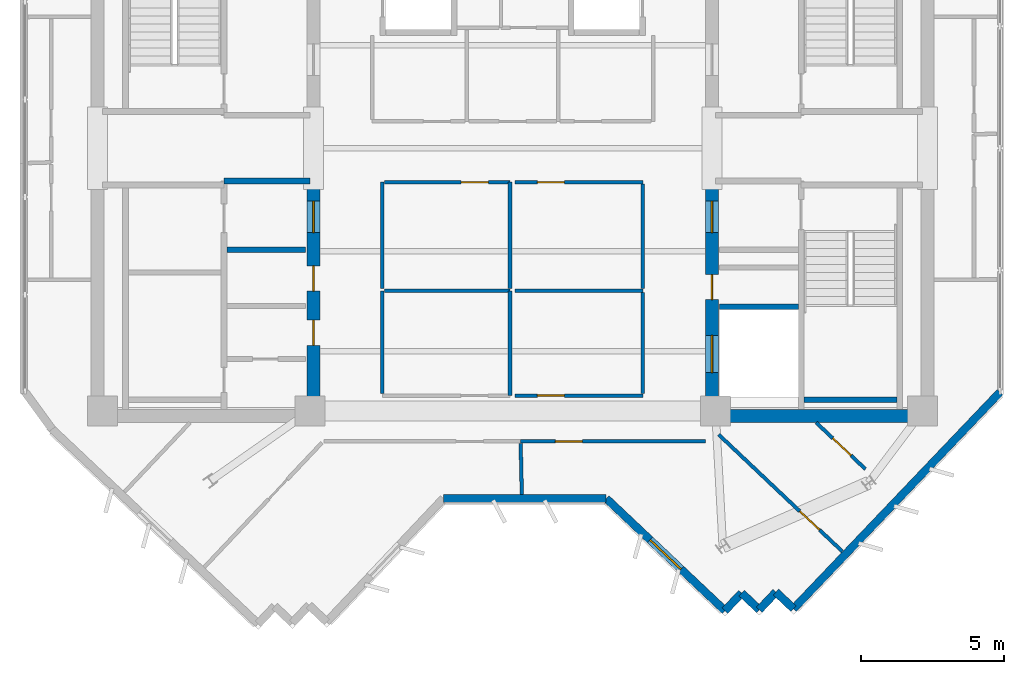
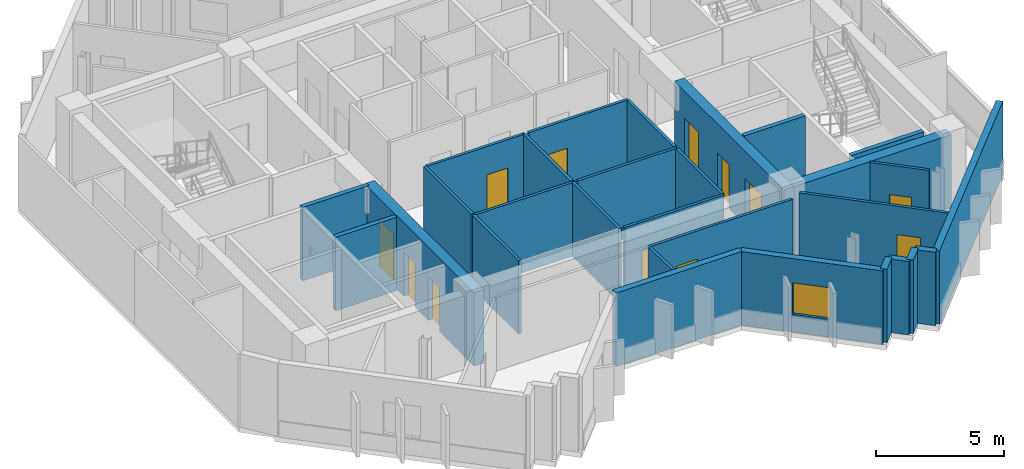
# One storey, part 4 of 9: 29 walls, 12 doors, 1 window, 13 openings.
"""IFC4 building model written with IfcOpenShell, lengths in metres."""

from ifc_helpers import new_model, si_unit, direction, frame, frame_2d, origin, place, context, subcontext, project, spatial, rectangle, extrude, source, transform, mapped, material, layer, layer_set, type_object, element, fill, save


model = new_model("IFC4")

# Units and contexts
model_context = context("Model", 3, precision=1e-05, world=origin(), true_north=direction((0.0, 1.0)))
body_context = subcontext(model_context, "Body", "Model", "MODEL_VIEW")
ifc_project = project(units=[si_unit("LENGTHUNIT", "METRE"), si_unit("AREAUNIT", "SQUARE_METRE"), si_unit("VOLUMEUNIT", "CUBIC_METRE"), si_unit("PLANEANGLEUNIT", "RADIAN"), si_unit("MASSUNIT", "GRAM", prefix="KILO")], contexts=[model_context])

# Site, building, storey
site_placement = place(None, origin())
site = spatial("IfcSite", under=ifc_project, at=site_placement, CompositionType="ELEMENT")
building_placement = place(site_placement, origin())
building = spatial("IfcBuilding", under=site, at=building_placement, Name="Zahravan Cultural Tower", CompositionType="ELEMENT")
storey_placement = place(building_placement, frame((0.0, 0.0, 302.85009765625)))
storey = spatial("IfcBuildingStorey", under=building, at=storey_placement, Name="L73", CompositionType="ELEMENT", Elevation=302.85009765625)

# Wall, openings, doors
ifc_material_1 = material(Name="Concrete C50/60", Category="concrete")
ifc_layer_1 = layer(ifc_material_1, 0.449951171875)
ifc_layer_set_1 = layer_set([ifc_layer_1], Name="Concrete C50/60")
wall_type_1 = type_object("IfcWallType", Name="CW-SHEAR-450-C50", PredefinedType="SHEAR", material=ifc_layer_set_1)
wall_1_placement = place(storey_placement, frame((29.02490234375, 17.39990234375, 0.0), z_axis=(0.0, 0.0, 1.0), x_axis=(0.0, 1.0, 0.0)))
wall_1 = element("IfcWall", 1, at=wall_1_placement, inside=storey, type_object=wall_type_1, Name="L73 Core Shear Wall CW-W-ES-L73", PredefinedType="SHEAR", context=body_context, shape_type="SweptSolid", body=[
    extrude(rectangle(XDim=8.550048828125, YDim=0.449951171875, at=frame_2d((4.27490234375, 0.0))), origin(), (0.0, 0.0, 1.0), 3.5),
])
opening_1_placement = place(wall_1_placement, frame((6.64990234375, 0.0, 0.0)))
opening_1 = element("IfcOpeningElement", 2, at=opening_1_placement, cuts=wall_1, Name="Opening D-L73-08", PredefinedType="OPENING", context=body_context, shape_type="SweptSolid", body=[
    extrude(rectangle(XDim=1.10009765625, YDim=2.199951171875, at=frame_2d((0.550048828125, 1.10009765625))), frame((0.0, 0.23486328125, 0.0), z_axis=(0.0, -1.0, 0.0), x_axis=(1.0, 0.0, 0.0)), (0.0, 0.0, 1.0), 0.469970703125),
])
opening_2_placement = place(wall_1_placement, frame((2.699951171875, 0.0, 0.0)))
opening_2 = element("IfcOpeningElement", 3, at=opening_2_placement, cuts=wall_1, Name="Opening D-L73-11", PredefinedType="OPENING", context=body_context, shape_type="SweptSolid", body=[
    extrude(rectangle(XDim=0.8798828125, YDim=2.10009765625, at=frame_2d((0.43994140625, 1.050048828125))), frame((0.0, 0.23486328125, 0.0), z_axis=(0.0, -1.0, 0.0), x_axis=(1.0, 0.0, 0.0)), (0.0, 0.0, 1.0), 0.469970703125),
])
opening_3_placement = place(wall_1_placement, frame((4.60009765625, 0.0, 0.0)))
opening_3 = element("IfcOpeningElement", 4, at=opening_3_placement, cuts=wall_1, Name="Opening D-L73-12", PredefinedType="OPENING", context=body_context, shape_type="SweptSolid", body=[
    extrude(rectangle(XDim=0.8798828125, YDim=2.10009765625, at=frame_2d((0.43994140625, 1.050048828125))), frame((0.0, 0.23486328125, 0.0), z_axis=(0.0, -1.0, 0.0), x_axis=(1.0, 0.0, 0.0)), (0.0, 0.0, 1.0), 0.469970703125),
])
ifc_material_2 = material(Name="Steel ASTM A572 Grade 50", Category="steel")
door_type_1 = type_object("IfcDoorType", Name="DR-LOBBY-1100", OperationType="NOTDEFINED", PredefinedType="DOOR", material=ifc_material_2)
shared_shape_1 = source(origin(), body_context, "Body", "SweptSolid", [
    extrude(rectangle(XDim=1.10009765625, YDim=2.199951171875, at=frame_2d((0.550048828125, 1.10009765625))), frame((0.0, 0.02490234375, 0.0), z_axis=(0.0, -1.0, 0.0), x_axis=(1.0, 0.0, 0.0)), (0.0, 0.0, 1.0), 0.050048828125),
])
door_1_placement = place(opening_1_placement, origin())
door_1 = element("IfcDoor", 5, at=door_1_placement, inside=storey, type_object=door_type_1, Name="L73 Door D-L73-08", OperationType="SINGLE_SWING_RIGHT", OverallHeight=2.199951171875, OverallWidth=1.10009765625, PredefinedType="DOOR", context=body_context, shape_type="MappedRepresentation", body=[
    mapped(shared_shape_1, transform((0.0, 0.0, 0.0), x_axis=(1.0, 0.0, 0.0), y_axis=(0.0, 1.0, 0.0), z_axis=(0.0, 0.0, 1.0), scale=1.0)),
])
fill(opening_1, door_1)
door_type_2 = type_object("IfcDoorType", Name="DR-SVC-880", OperationType="NOTDEFINED", PredefinedType="DOOR", material=ifc_material_2)
shared_shape_2 = source(origin(), body_context, "Body", "SweptSolid", [
    extrude(rectangle(XDim=0.8798828125, YDim=2.10009765625, at=frame_2d((0.43994140625, 1.050048828125))), frame((0.0, 0.02490234375, 0.0), z_axis=(0.0, -1.0, 0.0), x_axis=(1.0, 0.0, 0.0)), (0.0, 0.0, 1.0), 0.050048828125),
])
door_2_placement = place(opening_2_placement, origin())
door_2 = element("IfcDoor", 6, at=door_2_placement, inside=storey, type_object=door_type_2, Name="L73 Door D-L73-11", OperationType="SINGLE_SWING_LEFT", OverallHeight=2.10009765625, OverallWidth=0.8798828125, PredefinedType="DOOR", context=body_context, shape_type="MappedRepresentation", body=[
    mapped(shared_shape_2, transform((0.0, 0.0, 0.0), x_axis=(1.0, 0.0, 0.0), y_axis=(0.0, 1.0, 0.0), z_axis=(0.0, 0.0, 1.0), scale=1.0)),
])
fill(opening_2, door_2)
door_3_placement = place(opening_3_placement, origin())
door_3 = element("IfcDoor", 7, at=door_3_placement, inside=storey, type_object=door_type_2, Name="L73 Door D-L73-12", OperationType="SINGLE_SWING_RIGHT", OverallHeight=2.10009765625, OverallWidth=0.8798828125, PredefinedType="DOOR", context=body_context, shape_type="MappedRepresentation", body=[
    mapped(shared_shape_2, transform((0.0, 0.0, 0.0), x_axis=(1.0, 0.0, 0.0), y_axis=(0.0, 1.0, 0.0), z_axis=(0.0, 0.0, 1.0), scale=1.0)),
])
fill(opening_3, door_3)

wall_2_placement = place(storey_placement, frame((42.97509765625, 17.39990234375, 0.0), z_axis=(0.0, 0.0, 1.0), x_axis=(0.0, 1.0, 0.0)))
wall_2 = element("IfcWall", 8, at=wall_2_placement, inside=storey, type_object=wall_type_1, Name="L73 Core Shear Wall CW-E-WS-L73", PredefinedType="SHEAR", context=body_context, shape_type="SweptSolid", body=[
    extrude(rectangle(XDim=8.550048828125, YDim=0.449951171875, at=frame_2d((4.27490234375, 0.0))), origin(), (0.0, 0.0, 1.0), 3.5),
])
opening_4_placement = place(wall_2_placement, frame((6.64990234375, 0.0, 0.0)))
opening_4 = element("IfcOpeningElement", 9, at=opening_4_placement, cuts=wall_2, Name="Opening D-L73-09", PredefinedType="OPENING", context=body_context, shape_type="SweptSolid", body=[
    extrude(rectangle(XDim=1.10009765625, YDim=2.199951171875, at=frame_2d((0.550048828125, 1.10009765625))), frame((0.0, 0.23486328125, 0.0), z_axis=(0.0, -1.0, 0.0), x_axis=(1.0, 0.0, 0.0)), (0.0, 0.0, 1.0), 0.469970703125),
])
opening_5_placement = place(wall_2_placement, frame((1.75, 0.0, 0.0)))
opening_5 = element("IfcOpeningElement", 10, at=opening_5_placement, cuts=wall_2, Name="Opening LD-L73-03", PredefinedType="OPENING", context=body_context, shape_type="SweptSolid", body=[
    extrude(rectangle(XDim=1.300048828125, YDim=2.199951171875, at=frame_2d((0.64990234375, 1.10009765625))), frame((0.0, 0.23486328125, 0.0), z_axis=(0.0, -1.0, 0.0), x_axis=(1.0, 0.0, 0.0)), (0.0, 0.0, 1.0), 0.469970703125),
])
opening_6_placement = place(wall_2_placement, frame((4.300048828125, 0.0, 0.0)))
opening_6 = element("IfcOpeningElement", 11, at=opening_6_placement, cuts=wall_2, Name="Opening D-L73-13", PredefinedType="OPENING", context=body_context, shape_type="SweptSolid", body=[
    extrude(rectangle(XDim=0.8798828125, YDim=2.10009765625, at=frame_2d((0.43994140625, 1.050048828125))), frame((0.0, 0.23486328125, 0.0), z_axis=(0.0, -1.0, 0.0), x_axis=(1.0, 0.0, 0.0)), (0.0, 0.0, 1.0), 0.469970703125),
])
door_4_placement = place(opening_4_placement, origin())
door_4 = element("IfcDoor", 12, at=door_4_placement, inside=storey, type_object=door_type_1, Name="L73 Door D-L73-09", OperationType="SINGLE_SWING_LEFT", OverallHeight=2.199951171875, OverallWidth=1.10009765625, PredefinedType="DOOR", context=body_context, shape_type="MappedRepresentation", body=[
    mapped(shared_shape_1, transform((0.0, 0.0, 0.0), x_axis=(1.0, 0.0, 0.0), y_axis=(0.0, 1.0, 0.0), z_axis=(0.0, 0.0, 1.0), scale=1.0)),
])
fill(opening_4, door_4)
door_type_3 = type_object("IfcDoorType", Name="DR-LIFT-1300", OperationType="DOUBLE_DOOR_SLIDING", PredefinedType="DOOR", material=ifc_material_2)
shared_shape_3 = source(origin(), body_context, "Body", "SweptSolid", [
    extrude(rectangle(XDim=1.300048828125, YDim=2.199951171875, at=frame_2d((0.64990234375, 1.10009765625))), frame((0.0, 0.02490234375, 0.0), z_axis=(0.0, -1.0, 0.0), x_axis=(1.0, 0.0, 0.0)), (0.0, 0.0, 1.0), 0.050048828125),
])
door_5_placement = place(opening_5_placement, origin())
door_5 = element("IfcDoor", 13, at=door_5_placement, inside=storey, type_object=door_type_3, Name="L73 Door LD-L73-03", OperationType="DOUBLE_DOOR_SLIDING", OverallHeight=2.199951171875, OverallWidth=1.300048828125, PredefinedType="DOOR", context=body_context, shape_type="MappedRepresentation", body=[
    mapped(shared_shape_3, transform((0.0, 0.0, 0.0), x_axis=(1.0, 0.0, 0.0), y_axis=(0.0, 1.0, 0.0), z_axis=(0.0, 0.0, 1.0), scale=1.0)),
])
fill(opening_5, door_5)
door_6_placement = place(opening_6_placement, origin())
door_6 = element("IfcDoor", 14, at=door_6_placement, inside=storey, type_object=door_type_2, Name="L73 Door D-L73-13", OperationType="SINGLE_SWING_LEFT", OverallHeight=2.10009765625, OverallWidth=0.8798828125, PredefinedType="DOOR", context=body_context, shape_type="MappedRepresentation", body=[
    mapped(shared_shape_2, transform((0.0, 0.0, 0.0), x_axis=(1.0, 0.0, 0.0), y_axis=(0.0, 1.0, 0.0), z_axis=(0.0, 0.0, 1.0), scale=1.0)),
])
fill(opening_6, door_6)

# Wall, opening, window
ifc_material_3 = material(Name="Precast concrete C40/50", Category="concrete")
ifc_layer_2 = layer(ifc_material_3, 0.280029296875)
ifc_layer_set_2 = layer_set([ifc_layer_2], Name="Precast concrete C40/50")
wall_type_2 = type_object("IfcWallType", Name="EW-TC-280", PredefinedType="SOLIDWALL", material=ifc_layer_set_2)
wall_3_placement = place(storey_placement, frame((43.431640625, 10.8125, 0.0), z_axis=(0.0, 0.0, 1.0), x_axis=(-0.726765623086, 0.686885528382, 0.0)))
wall_3 = element("IfcWall", 15, at=wall_3_placement, inside=storey, type_object=wall_type_2, Name="L73 Exterior Masonry Frame Wall 13", PredefinedType="SOLIDWALL", context=body_context, shape_type="SweptSolid", body=[
    extrude(rectangle(XDim=5.7177734375, YDim=0.280029296875, at=frame_2d((2.85888671875, 0.0))), origin(), (0.0, 0.0, 1.0), 3.5),
])
opening_7_placement = place(wall_3_placement, frame((2.10888671875, 0.0, 0.85009765625)))
opening_7 = element("IfcOpeningElement", 16, at=opening_7_placement, cuts=wall_3, Name="Opening WN-03", PredefinedType="OPENING", context=body_context, shape_type="SweptSolid", body=[
    extrude(rectangle(XDim=1.5, YDim=1.5, at=frame_2d((0.75, 0.75))), frame((0.0, 0.14990234375, 0.0), z_axis=(0.0, -1.0, 0.0), x_axis=(1.0, 0.0, 0.0)), (0.0, 0.0, 1.0), 0.300048828125),
])
ifc_material_4 = material(Name="Low-E solar-control double glazing", Category="glass")
window_type = type_object("IfcWindowType", Name="WN-REC-1500X1500", PartitioningType="SINGLE_PANEL", PredefinedType="WINDOW", material=ifc_material_4)
shared_shape_4 = source(origin(), body_context, "Body", "SweptSolid", [
    extrude(rectangle(XDim=1.5, YDim=1.5, at=frame_2d((0.75, 0.75))), frame((0.0, 0.030029296875, 0.0), z_axis=(0.0, -1.0, 0.0), x_axis=(1.0, 0.0, 0.0)), (0.0, 0.0, 1.0), 0.06005859375),
])
window_placement = place(opening_7_placement, origin())
window = element("IfcWindow", 17, at=window_placement, inside=storey, type_object=window_type, Name="L73 Recessed Solar Window 02", OverallHeight=1.5, OverallWidth=1.5, PartitioningType="SINGLE_PANEL", PredefinedType="WINDOW", context=body_context, shape_type="MappedRepresentation", body=[
    mapped(shared_shape_4, transform((0.0, 0.0, 0.0), x_axis=(1.0, 0.0, 0.0), y_axis=(0.0, 1.0, 0.0), z_axis=(0.0, 0.0, 1.0), scale=1.0)),
])
fill(opening_7, window)

# Wall, opening, door
ifc_material_5 = material(Name="Gypsum plasterboard partition")
ifc_layer_3 = layer(ifc_material_5, 0.125)
ifc_layer_set_3 = layer_set([ifc_layer_3], Name="Gypsum plasterboard partition")
wall_type_3 = type_object("IfcWallType", Name="W-PART-125", PredefinedType="PARTITIONING", material=ifc_layer_set_3)
wall_4_placement = place(storey_placement, frame((48.348876953125, 15.769287109375, 0.0), z_axis=(0.0, 0.0, 1.0), x_axis=(-0.726735597886, 0.686917295433, 0.0)))
wall_4 = element("IfcWall", 18, at=wall_4_placement, inside=storey, type_object=wall_type_3, Name="L73 Interior Wall 052", PredefinedType="PARTITIONING", context=body_context, shape_type="SweptSolid", body=[
    extrude(rectangle(XDim=2.36669921875, YDim=0.125, at=frame_2d((1.183349609375, 0.0))), origin(), (0.0, 0.0, 1.0), 3.5),
])
opening_8_placement = place(wall_4_placement, frame((0.6923828125, 0.0, 0.0)))
opening_8 = element("IfcOpeningElement", 19, at=opening_8_placement, cuts=wall_4, Name="Opening D-L73-37", PredefinedType="OPENING", context=body_context, shape_type="SweptSolid", body=[
    extrude(rectangle(XDim=0.8798828125, YDim=2.10009765625, at=frame_2d((0.43994140625, 1.050048828125))), frame((0.0, 0.072509765625, 0.0), z_axis=(0.0, -1.0, 0.0), x_axis=(1.0, 0.0, 0.0)), (0.0, 0.0, 1.0), 0.14501953125),
])
ifc_material_6 = material(Name="Anodised bronze-aluminium mullion", Category="aluminium")
door_type_4 = type_object("IfcDoorType", Name="DR-ROOM-880", OperationType="NOTDEFINED", PredefinedType="DOOR", material=ifc_material_6)
door_7_placement = place(opening_8_placement, origin())
door_7 = element("IfcDoor", 20, at=door_7_placement, inside=storey, type_object=door_type_4, Name="L73 Door D-L73-37", OperationType="SINGLE_SWING_LEFT", OverallHeight=2.10009765625, OverallWidth=0.8798828125, PredefinedType="DOOR", context=body_context, shape_type="MappedRepresentation", body=[
    mapped(shared_shape_2, transform((0.0, 0.0, 0.0), x_axis=(1.0, 0.0, 0.0), y_axis=(0.0, 1.0, 0.0), z_axis=(0.0, 0.0, 1.0), scale=1.0)),
])
fill(opening_8, door_7)

wall_5_placement = place(storey_placement, frame((47.54443359375, 12.88330078125, 0.0), z_axis=(0.0, 0.0, 1.0), x_axis=(-0.726761082497, 0.686890332562, 0.0)))
wall_5 = element("IfcWall", 21, at=wall_5_placement, inside=storey, type_object=wall_type_3, Name="L73 Interior Wall 061", PredefinedType="PARTITIONING", context=body_context, shape_type="SweptSolid", body=[
    extrude(rectangle(XDim=5.964111328125, YDim=0.125, at=frame_2d((2.98193359375, 0.0))), origin(), (0.0, 0.0, 1.0), 3.5),
])
opening_9_placement = place(wall_5_placement, frame((1.10302734375, 0.0, 0.0)))
opening_9 = element("IfcOpeningElement", 22, at=opening_9_placement, cuts=wall_5, Name="Opening D-L73-35", PredefinedType="OPENING", context=body_context, shape_type="SweptSolid", body=[
    extrude(rectangle(XDim=0.949951171875, YDim=2.14990234375, at=frame_2d((0.47509765625, 1.074951171875))), frame((0.0, 0.072509765625, 0.0), z_axis=(0.0, -1.0, 0.0), x_axis=(1.0, 0.0, 0.0)), (0.0, 0.0, 1.0), 0.14501953125),
])
door_type_5 = type_object("IfcDoorType", Name="DR-ROOM-950", OperationType="NOTDEFINED", PredefinedType="DOOR", material=ifc_material_6)
shared_shape_5 = source(origin(), body_context, "Body", "SweptSolid", [
    extrude(rectangle(XDim=0.949951171875, YDim=2.14990234375, at=frame_2d((0.47509765625, 1.074951171875))), frame((0.0, 0.02490234375, 0.0), z_axis=(0.0, -1.0, 0.0), x_axis=(1.0, 0.0, 0.0)), (0.0, 0.0, 1.0), 0.050048828125),
])
door_8_placement = place(opening_9_placement, origin())
door_8 = element("IfcDoor", 23, at=door_8_placement, inside=storey, type_object=door_type_5, Name="L73 Door D-L73-35", OperationType="SINGLE_SWING_LEFT", OverallHeight=2.14990234375, OverallWidth=0.949951171875, PredefinedType="DOOR", context=body_context, shape_type="MappedRepresentation", body=[
    mapped(shared_shape_5, transform((0.0, 0.0, 0.0), x_axis=(1.0, 0.0, 0.0), y_axis=(0.0, 1.0, 0.0), z_axis=(0.0, 0.0, 1.0), scale=1.0)),
])
fill(opening_9, door_8)

wall_6_placement = place(storey_placement, frame((40.56005859375, 18.340087890625, 0.0), z_axis=(0.0, 0.0, 1.0), x_axis=(-1.0, 0.0, 0.0)))
wall_6 = element("IfcWall", 24, at=wall_6_placement, inside=storey, type_object=wall_type_3, Name="L73 Interior Wall 066", PredefinedType="PARTITIONING", context=body_context, shape_type="SweptSolid", body=[
    extrude(rectangle(XDim=4.469970703125, YDim=0.125, at=frame_2d((2.23486328125, 0.0))), origin(), (0.0, 0.0, 1.0), 3.5),
])
opening_10_placement = place(wall_6_placement, frame((2.74560546875, 0.0, 0.0)))
opening_10 = element("IfcOpeningElement", 25, at=opening_10_placement, cuts=wall_6, Name="Opening D-L73-16", PredefinedType="OPENING", context=body_context, shape_type="SweptSolid", body=[
    extrude(rectangle(XDim=0.949951171875, YDim=2.14990234375, at=frame_2d((0.47509765625, 1.074951171875))), frame((0.0, 0.072509765625, 0.0), z_axis=(0.0, -1.0, 0.0), x_axis=(1.0, 0.0, 0.0)), (0.0, 0.0, 1.0), 0.14501953125),
])
door_9_placement = place(opening_10_placement, origin())
door_9 = element("IfcDoor", 26, at=door_9_placement, inside=storey, type_object=door_type_5, Name="L73 Door D-L73-16", OperationType="SINGLE_SWING_RIGHT", OverallHeight=2.14990234375, OverallWidth=0.949951171875, PredefinedType="DOOR", context=body_context, shape_type="MappedRepresentation", body=[
    mapped(shared_shape_5, transform((0.0, 0.0, 0.0), x_axis=(1.0, 0.0, 0.0), y_axis=(0.0, 1.0, 0.0), z_axis=(0.0, 0.0, 1.0), scale=1.0)),
])
fill(opening_10, door_9)

wall_7_placement = place(storey_placement, frame((31.507568359375, 25.81005859375, 0.0), z_axis=(0.0, 0.0, 1.0), x_axis=(1.0, 0.0, 0.0)))
wall_7 = element("IfcWall", 27, at=wall_7_placement, inside=storey, type_object=wall_type_3, Name="L73 Interior Wall 070", PredefinedType="PARTITIONING", context=body_context, shape_type="SweptSolid", body=[
    extrude(rectangle(XDim=4.40234375, YDim=0.125, at=frame_2d((2.201171875, 0.0))), origin(), (0.0, 0.0, 1.0), 3.5),
])
opening_11_placement = place(wall_7_placement, frame((2.69287109375, 0.0, 0.0)))
opening_11 = element("IfcOpeningElement", 28, at=opening_11_placement, cuts=wall_7, Name="Opening D-L73-15", PredefinedType="OPENING", context=body_context, shape_type="SweptSolid", body=[
    extrude(rectangle(XDim=0.949951171875, YDim=2.14990234375, at=frame_2d((0.47509765625, 1.074951171875))), frame((0.0, 0.072509765625, 0.0), z_axis=(0.0, -1.0, 0.0), x_axis=(1.0, 0.0, 0.0)), (0.0, 0.0, 1.0), 0.14501953125),
])
door_10_placement = place(opening_11_placement, origin())
door_10 = element("IfcDoor", 29, at=door_10_placement, inside=storey, type_object=door_type_5, Name="L73 Door D-L73-15", OperationType="SINGLE_SWING_LEFT", OverallHeight=2.14990234375, OverallWidth=0.949951171875, PredefinedType="DOOR", context=body_context, shape_type="MappedRepresentation", body=[
    mapped(shared_shape_5, transform((0.0, 0.0, 0.0), x_axis=(1.0, 0.0, 0.0), y_axis=(0.0, 1.0, 0.0), z_axis=(0.0, 0.0, 1.0), scale=1.0)),
])
fill(opening_11, door_10)

wall_8_placement = place(storey_placement, frame((36.090087890625, 25.81005859375, 0.0), z_axis=(0.0, 0.0, 1.0), x_axis=(1.0, 0.0, 0.0)))
wall_8 = element("IfcWall", 30, at=wall_8_placement, inside=storey, type_object=wall_type_3, Name="L73 Interior Wall 072", PredefinedType="PARTITIONING", context=body_context, shape_type="SweptSolid", body=[
    extrude(rectangle(XDim=4.469970703125, YDim=0.125, at=frame_2d((2.23486328125, 0.0))), origin(), (0.0, 0.0, 1.0), 3.5),
])
opening_12_placement = place(wall_8_placement, frame((0.7744140625, 0.0, 0.0)))
opening_12 = element("IfcOpeningElement", 31, at=opening_12_placement, cuts=wall_8, Name="Opening D-L73-17", PredefinedType="OPENING", context=body_context, shape_type="SweptSolid", body=[
    extrude(rectangle(XDim=0.949951171875, YDim=2.14990234375, at=frame_2d((0.47509765625, 1.074951171875))), frame((0.0, 0.072509765625, 0.0), z_axis=(0.0, -1.0, 0.0), x_axis=(1.0, 0.0, 0.0)), (0.0, 0.0, 1.0), 0.14501953125),
])
door_11_placement = place(opening_12_placement, origin())
door_11 = element("IfcDoor", 32, at=door_11_placement, inside=storey, type_object=door_type_5, Name="L73 Door D-L73-17", OperationType="SINGLE_SWING_LEFT", OverallHeight=2.14990234375, OverallWidth=0.949951171875, PredefinedType="DOOR", context=body_context, shape_type="MappedRepresentation", body=[
    mapped(shared_shape_5, transform((0.0, 0.0, 0.0), x_axis=(1.0, 0.0, 0.0), y_axis=(0.0, 1.0, 0.0), z_axis=(0.0, 0.0, 1.0), scale=1.0)),
])
fill(opening_12, door_11)

wall_9_placement = place(storey_placement, frame((36.27978515625, 16.739990234375, 0.0), z_axis=(0.0, 0.0, 1.0), x_axis=(1.0, 0.0, 0.0)))
wall_9 = element("IfcWall", 33, at=wall_9_placement, inside=storey, type_object=wall_type_3, Name="L73 Interior Wall 092", PredefinedType="PARTITIONING", context=body_context, shape_type="SweptSolid", body=[
    extrude(rectangle(XDim=6.46435546875, YDim=0.125, at=frame_2d((3.232177734375, 0.0))), origin(), (0.0, 0.0, 1.0), 3.5),
])
opening_13_placement = place(wall_9_placement, frame((1.213134765625, 0.0, 0.0)))
opening_13 = element("IfcOpeningElement", 34, at=opening_13_placement, cuts=wall_9, Name="Opening D-L73-29", PredefinedType="OPENING", context=body_context, shape_type="SweptSolid", body=[
    extrude(rectangle(XDim=0.949951171875, YDim=2.14990234375, at=frame_2d((0.47509765625, 1.074951171875))), frame((0.0, 0.072509765625, 0.0), z_axis=(0.0, -1.0, 0.0), x_axis=(1.0, 0.0, 0.0)), (0.0, 0.0, 1.0), 0.14501953125),
])
door_12_placement = place(opening_13_placement, origin())
door_12 = element("IfcDoor", 35, at=door_12_placement, inside=storey, type_object=door_type_5, Name="L73 Door D-L73-29", OperationType="SINGLE_SWING_LEFT", OverallHeight=2.14990234375, OverallWidth=0.949951171875, PredefinedType="DOOR", context=body_context, shape_type="MappedRepresentation", body=[
    mapped(shared_shape_5, transform((0.0, 0.0, 0.0), x_axis=(1.0, 0.0, 0.0), y_axis=(0.0, 1.0, 0.0), z_axis=(0.0, 0.0, 1.0), scale=1.0)),
])
fill(opening_13, door_12)

# Walls
shared_shape_6 = source(origin(), body_context, "Body", "SweptSolid", [
    extrude(rectangle(XDim=7.10009765625, YDim=0.449951171875, at=frame_2d((3.550048828125, 0.0))), origin(), (0.0, 0.0, 1.0), 3.5),
])
wall_10_placement = place(storey_placement, frame((43.199951171875, 17.625, 0.0), z_axis=(0.0, 0.0, 1.0), x_axis=(1.0, 0.0, 0.0)))
element("IfcWall", 36, at=wall_10_placement, inside=storey, type_object=wall_type_1, Name="L73 Core Shear Wall CW-E-S-L73", PredefinedType="SHEAR", context=body_context, shape_type="MappedRepresentation", body=[
    mapped(shared_shape_6, transform((0.0, 0.0, 0.0), x_axis=(1.0, 0.0, 0.0), y_axis=(0.0, 1.0, 0.0), z_axis=(0.0, 0.0, 1.0), scale=1.0)),
])
shared_shape_7 = source(origin(), body_context, "Body", "SweptSolid", [
    extrude(rectangle(XDim=0.85009765625, YDim=0.280029296875, at=frame_2d((0.425048828125, 0.0))), origin(), (0.0, 0.0, 1.0), 3.5),
])
for number, where, z_axis, x_axis, name in (
    (37, (45.21728515625, 11.464111328125, 0.0), (0.0, 0.0, 1.0), (-0.687011382404, -0.726646654466, 0.0), "L73 Exterior Masonry Frame Wall 10"),
    (38, (44.015625, 11.43017578125, 0.0), (0.0, 0.0, 1.0), (-0.687011382404, -0.726646654466, 0.0), "L73 Exterior Masonry Frame Wall 12"),
):
    element("IfcWall", number, at=place(storey_placement, frame(where, z_axis=z_axis, x_axis=x_axis)), inside=storey, type_object=wall_type_2, Name=name, PredefinedType="SOLIDWALL", context=body_context, shape_type="MappedRepresentation", body=[
        mapped(shared_shape_7, transform((0.0, 0.0, 0.0), x_axis=(1.0, 0.0, 0.0), y_axis=(0.0, 1.0, 0.0), z_axis=(0.0, 0.0, 1.0), scale=1.0)),
    ])
shared_shape_8 = source(origin(), body_context, "Body", "SweptSolid", [
    extrude(rectangle(XDim=0.849853515625, YDim=0.280029296875, at=frame_2d((0.4248046875, 0.0))), origin(), (0.0, 0.0, 1.0), 3.5),
])
for number, where, z_axis, x_axis, name in (
    (39, (45.8349609375, 10.88037109375, 0.0), (0.0, 0.0, 1.0), (-0.726790047388, 0.686859685101, 0.0), "L73 Exterior Masonry Frame Wall 09"),
    (40, (44.63330078125, 10.846435546875, 0.0), (0.0, 0.0, 1.0), (-0.726790047388, 0.686859685101, 0.0), "L73 Exterior Masonry Frame Wall 11"),
):
    element("IfcWall", number, at=place(storey_placement, frame(where, z_axis=z_axis, x_axis=x_axis)), inside=storey, type_object=wall_type_2, Name=name, PredefinedType="SOLIDWALL", context=body_context, shape_type="MappedRepresentation", body=[
        mapped(shared_shape_8, transform((0.0, 0.0, 0.0), x_axis=(1.0, 0.0, 0.0), y_axis=(0.0, 1.0, 0.0), z_axis=(0.0, 0.0, 1.0), scale=1.0)),
    ])
shared_shape_9 = source(origin(), body_context, "Body", "SweptSolid", [
    extrude(rectangle(XDim=10.469970703125, YDim=0.280029296875, at=frame_2d((5.23486328125, 0.0))), origin(), (0.0, 0.0, 1.0), 3.5),
])
wall_11_placement = place(storey_placement, frame((53.06005859375, 18.4580078125, 0.0), z_axis=(0.0, 0.0, 1.0), x_axis=(-0.690070788875, -0.723741878256, 0.0)))
element("IfcWall", 41, at=wall_11_placement, inside=storey, type_object=wall_type_2, Name="L73 Exterior Masonry Frame Wall 08", PredefinedType="SOLIDWALL", context=body_context, shape_type="MappedRepresentation", body=[
    mapped(shared_shape_9, transform((0.0, 0.0, 0.0), x_axis=(1.0, 0.0, 0.0), y_axis=(0.0, 1.0, 0.0), z_axis=(0.0, 0.0, 1.0), scale=1.0)),
])
shared_shape_10 = source(origin(), body_context, "Body", "SweptSolid", [
    extrude(rectangle(XDim=5.69921875, YDim=0.280029296875, at=frame_2d((2.849609375, 0.0))), origin(), (0.0, 0.0, 1.0), 3.5),
])
wall_12_placement = place(storey_placement, frame((39.276123046875, 14.739990234375, 0.0), z_axis=(0.0, 0.0, 1.0), x_axis=(-1.0, 0.0, 0.0)))
element("IfcWall", 42, at=wall_12_placement, inside=storey, type_object=wall_type_2, Name="L73 Exterior Masonry Frame Wall 14", PredefinedType="SOLIDWALL", context=body_context, shape_type="MappedRepresentation", body=[
    mapped(shared_shape_10, transform((0.0, 0.0, 0.0), x_axis=(1.0, 0.0, 0.0), y_axis=(0.0, 1.0, 0.0), z_axis=(0.0, 0.0, 1.0), scale=1.0)),
])
ifc_material_7 = material(Name="Concrete C45/55", Category="concrete")
ifc_layer_4 = layer(ifc_material_7, 0.199951171875)
ifc_layer_set_4 = layer_set([ifc_layer_4], Name="Concrete C45/55")
wall_type_4 = type_object("IfcWallType", Name="W-SHAFT-200", PredefinedType="SOLIDWALL", material=ifc_layer_set_4)
shared_shape_11 = source(origin(), body_context, "Body", "SweptSolid", [
    extrude(rectangle(XDim=3.0, YDim=0.199951171875, at=frame_2d((1.5, 0.0))), origin(), (0.0, 0.0, 1.0), 3.5),
])
wall_13_placement = place(storey_placement, frame((25.89990234375, 25.85009765625, 0.0), z_axis=(0.0, 0.0, 1.0), x_axis=(1.0, 0.0, 0.0)))
element("IfcWall", 43, at=wall_13_placement, inside=storey, type_object=wall_type_4, Name="L73 Interior Wall 010", PredefinedType="SOLIDWALL", context=body_context, shape_type="MappedRepresentation", body=[
    mapped(shared_shape_11, transform((0.0, 0.0, 0.0), x_axis=(1.0, 0.0, 0.0), y_axis=(0.0, 1.0, 0.0), z_axis=(0.0, 0.0, 1.0), scale=1.0)),
])
shared_shape_12 = source(origin(), body_context, "Body", "SweptSolid", [
    extrude(rectangle(XDim=3.25, YDim=0.199951171875, at=frame_2d((1.625, 0.0))), origin(), (0.0, 0.0, 1.0), 3.5),
])
wall_14_placement = place(storey_placement, frame((46.199951171875, 18.199951171875, 0.0), z_axis=(0.0, 0.0, 1.0), x_axis=(1.0, 0.0, 0.0)))
element("IfcWall", 44, at=wall_14_placement, inside=storey, type_object=wall_type_4, Name="L73 Interior Wall 020", PredefinedType="SOLIDWALL", context=body_context, shape_type="MappedRepresentation", body=[
    mapped(shared_shape_12, transform((0.0, 0.0, 0.0), x_axis=(1.0, 0.0, 0.0), y_axis=(0.0, 1.0, 0.0), z_axis=(0.0, 0.0, 1.0), scale=1.0)),
])
shared_shape_13 = source(origin(), body_context, "Body", "SweptSolid", [
    extrude(rectangle(XDim=2.75, YDim=0.199951171875, at=frame_2d((1.375, 0.0))), origin(), (0.0, 0.0, 1.0), 3.5),
])
for number, where, z_axis, x_axis, name in (
    (45, (26.0, 23.449951171875, 0.0), (0.0, 0.0, 1.0), (1.0, 0.0, 0.0), "L73 Interior Wall 024"),
    (46, (43.25, 21.449951171875, 0.0), (0.0, 0.0, 1.0), (1.0, 0.0, 0.0), "L73 Interior Wall 026"),
):
    element("IfcWall", number, at=place(storey_placement, frame(where, z_axis=z_axis, x_axis=x_axis)), inside=storey, type_object=wall_type_4, Name=name, PredefinedType="SOLIDWALL", context=body_context, shape_type="MappedRepresentation", body=[
        mapped(shared_shape_13, transform((0.0, 0.0, 0.0), x_axis=(1.0, 0.0, 0.0), y_axis=(0.0, 1.0, 0.0), z_axis=(0.0, 0.0, 1.0), scale=1.0)),
    ])
shared_shape_14 = source(origin(), body_context, "Body", "SweptSolid", [
    extrude(rectangle(XDim=3.6025390625, YDim=0.125, at=frame_2d((1.80126953125, 0.0))), origin(), (0.0, 0.0, 1.0), 3.5),
])
wall_15_placement = place(storey_placement, frame((31.43994140625, 18.407470703125, 0.0), z_axis=(0.0, 0.0, 1.0), x_axis=(0.0, 1.0, 0.0)))
element("IfcWall", 47, at=wall_15_placement, inside=storey, type_object=wall_type_3, Name="L73 Interior Wall 063", PredefinedType="PARTITIONING", context=body_context, shape_type="MappedRepresentation", body=[
    mapped(shared_shape_14, transform((0.0, 0.0, 0.0), x_axis=(1.0, 0.0, 0.0), y_axis=(0.0, 1.0, 0.0), z_axis=(0.0, 0.0, 1.0), scale=1.0)),
])
shared_shape_15 = source(origin(), body_context, "Body", "SweptSolid", [
    extrude(rectangle(XDim=4.40234375, YDim=0.125, at=frame_2d((2.201171875, 0.0))), origin(), (0.0, 0.0, 1.0), 3.5),
])
wall_16_placement = place(storey_placement, frame((31.507568359375, 22.010009765625, 0.0), z_axis=(0.0, 0.0, 1.0), x_axis=(1.0, 0.0, 0.0)))
element("IfcWall", 48, at=wall_16_placement, inside=storey, type_object=wall_type_3, Name="L73 Interior Wall 064", PredefinedType="PARTITIONING", context=body_context, shape_type="MappedRepresentation", body=[
    mapped(shared_shape_15, transform((0.0, 0.0, 0.0), x_axis=(1.0, 0.0, 0.0), y_axis=(0.0, 1.0, 0.0), z_axis=(0.0, 0.0, 1.0), scale=1.0)),
])
shared_shape_16 = source(origin(), body_context, "Body", "SweptSolid", [
    extrude(rectangle(XDim=3.669921875, YDim=0.125, at=frame_2d((1.8349609375, 0.0))), origin(), (0.0, 0.0, 1.0), 3.5),
])
wall_17_placement = place(storey_placement, frame((35.909912109375, 22.010009765625, 0.0), z_axis=(0.0, 0.0, 1.0), x_axis=(0.0, -1.0, 0.0)))
element("IfcWall", 49, at=wall_17_placement, inside=storey, type_object=wall_type_3, Name="L73 Interior Wall 065", PredefinedType="PARTITIONING", context=body_context, shape_type="MappedRepresentation", body=[
    mapped(shared_shape_16, transform((0.0, 0.0, 0.0), x_axis=(1.0, 0.0, 0.0), y_axis=(0.0, 1.0, 0.0), z_axis=(0.0, 0.0, 1.0), scale=1.0)),
])
shared_shape_17 = source(origin(), body_context, "Body", "SweptSolid", [
    extrude(rectangle(XDim=4.469970703125, YDim=0.125, at=frame_2d((2.23486328125, 0.0))), origin(), (0.0, 0.0, 1.0), 3.5),
])
wall_18_placement = place(storey_placement, frame((36.090087890625, 22.010009765625, 0.0), z_axis=(0.0, 0.0, 1.0), x_axis=(1.0, 0.0, 0.0)))
element("IfcWall", 50, at=wall_18_placement, inside=storey, type_object=wall_type_3, Name="L73 Interior Wall 067", PredefinedType="PARTITIONING", context=body_context, shape_type="MappedRepresentation", body=[
    mapped(shared_shape_17, transform((0.0, 0.0, 0.0), x_axis=(1.0, 0.0, 0.0), y_axis=(0.0, 1.0, 0.0), z_axis=(0.0, 0.0, 1.0), scale=1.0)),
])
shared_shape_18 = source(origin(), body_context, "Body", "SweptSolid", [
    extrude(rectangle(XDim=3.534912109375, YDim=0.125, at=frame_2d((1.767578125, 0.0))), origin(), (0.0, 0.0, 1.0), 3.5),
])
wall_19_placement = place(storey_placement, frame((40.56005859375, 21.9423828125, 0.0), z_axis=(0.0, 0.0, 1.0), x_axis=(0.0, -1.0, 0.0)))
element("IfcWall", 51, at=wall_19_placement, inside=storey, type_object=wall_type_3, Name="L73 Interior Wall 068", PredefinedType="PARTITIONING", context=body_context, shape_type="MappedRepresentation", body=[
    mapped(shared_shape_18, transform((0.0, 0.0, 0.0), x_axis=(1.0, 0.0, 0.0), y_axis=(0.0, 1.0, 0.0), z_axis=(0.0, 0.0, 1.0), scale=1.0)),
])
shared_shape_19 = source(origin(), body_context, "Body", "SweptSolid", [
    extrude(rectangle(XDim=3.719970703125, YDim=0.125, at=frame_2d((1.85986328125, 0.0))), origin(), (0.0, 0.0, 1.0), 3.5),
])
for number, where, z_axis, x_axis, name in (
    (52, (31.43994140625, 22.090087890625, 0.0), (0.0, 0.0, 1.0), (0.0, 1.0, 0.0), "L73 Interior Wall 069"),
    (53, (35.909912109375, 25.81005859375, 0.0), (0.0, 0.0, 1.0), (0.0, -1.0, 0.0), "L73 Interior Wall 071"),
):
    element("IfcWall", number, at=place(storey_placement, frame(where, z_axis=z_axis, x_axis=x_axis)), inside=storey, type_object=wall_type_3, Name=name, PredefinedType="PARTITIONING", context=body_context, shape_type="MappedRepresentation", body=[
        mapped(shared_shape_19, transform((0.0, 0.0, 0.0), x_axis=(1.0, 0.0, 0.0), y_axis=(0.0, 1.0, 0.0), z_axis=(0.0, 0.0, 1.0), scale=1.0)),
    ])
shared_shape_20 = source(origin(), body_context, "Body", "SweptSolid", [
    extrude(rectangle(XDim=3.65234375, YDim=0.125, at=frame_2d((1.826171875, 0.0))), origin(), (0.0, 0.0, 1.0), 3.5),
])
wall_20_placement = place(storey_placement, frame((40.56005859375, 25.742431640625, 0.0), z_axis=(0.0, 0.0, 1.0), x_axis=(0.0, -1.0, 0.0)))
element("IfcWall", 54, at=wall_20_placement, inside=storey, type_object=wall_type_3, Name="L73 Interior Wall 073", PredefinedType="PARTITIONING", context=body_context, shape_type="MappedRepresentation", body=[
    mapped(shared_shape_20, transform((0.0, 0.0, 0.0), x_axis=(1.0, 0.0, 0.0), y_axis=(0.0, 1.0, 0.0), z_axis=(0.0, 0.0, 1.0), scale=1.0)),
])
shared_shape_21 = source(origin(), body_context, "Body", "SweptSolid", [
    extrude(rectangle(XDim=1.7880859375, YDim=0.125, at=frame_2d((0.89404296875, 0.0))), origin(), (0.0, 0.0, 1.0), 3.5),
])
wall_21_placement = place(storey_placement, frame((36.3232421875, 14.885009765625, 0.0), z_axis=(0.0, 0.0, 1.0), x_axis=(-0.023484370815, 0.999724204132, 0.0)))
element("IfcWall", 55, at=wall_21_placement, inside=storey, type_object=wall_type_3, Name="L73 Interior Wall 093", PredefinedType="PARTITIONING", context=body_context, shape_type="MappedRepresentation", body=[
    mapped(shared_shape_21, transform((0.0, 0.0, 0.0), x_axis=(1.0, 0.0, 0.0), y_axis=(0.0, 1.0, 0.0), z_axis=(0.0, 0.0, 1.0), scale=1.0)),
])

save(model, "model.ifc")
